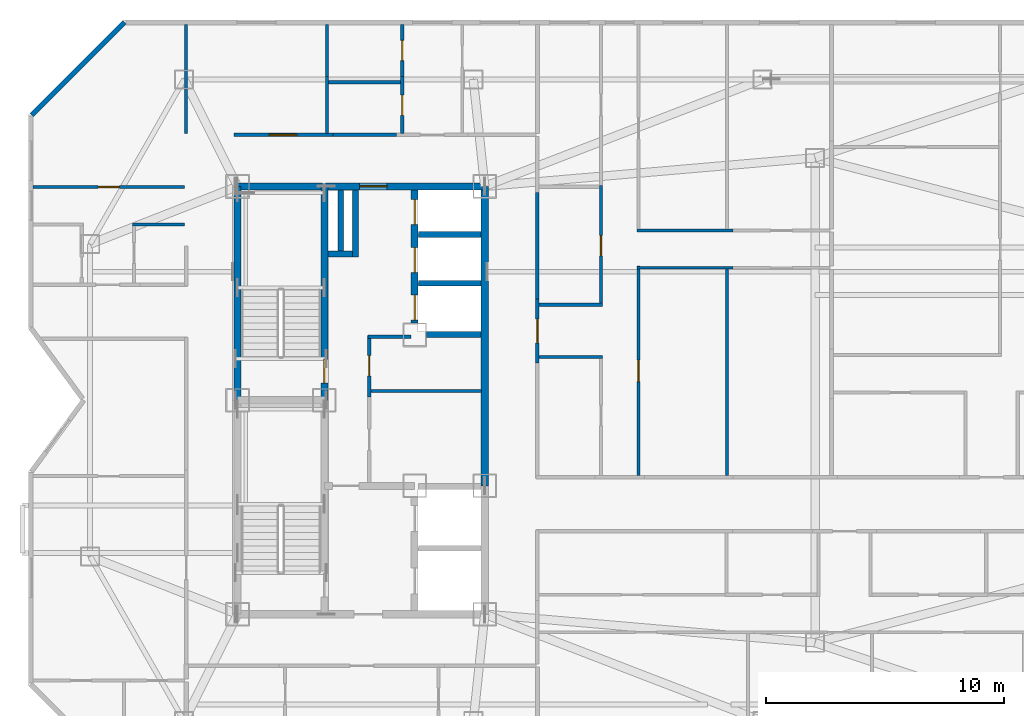
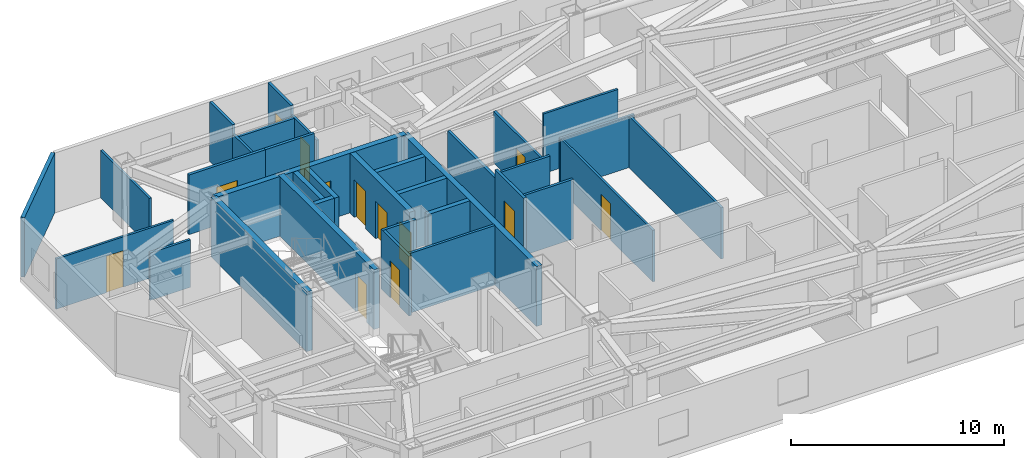
# One storey, part 6 of 10: 34 walls, 13 doors, 13 openings.
"""IFC4 building model written with IfcOpenShell, lengths in metres."""

from ifc_helpers import new_model, si_unit, direction, frame, frame_2d, origin, place, context, subcontext, project, spatial, rectangle, extrude, material, layer, layer_set, type_object, element, fill, save


model = new_model("IFC4")

# Units and contexts
model_context = context("Model", 3, precision=1e-05, world=origin(), true_north=direction((0.0, 1.0)))
body_context = subcontext(model_context, "Body", "Model", "MODEL_VIEW")
ifc_project = project(units=[si_unit("LENGTHUNIT", "METRE"), si_unit("AREAUNIT", "SQUARE_METRE"), si_unit("VOLUMEUNIT", "CUBIC_METRE"), si_unit("PLANEANGLEUNIT", "RADIAN"), si_unit("MASSUNIT", "GRAM", prefix="KILO")], contexts=[model_context])

# Site, building, storey
site_placement = place(None, origin())
site = spatial("IfcSite", under=ifc_project, at=site_placement, CompositionType="ELEMENT")
building_placement = place(site_placement, origin())
building = spatial("IfcBuilding", under=site, at=building_placement, Name="Khamvora Tower", CompositionType="ELEMENT")
storey_placement = place(building_placement, frame((0.0, 0.0, 246.39990234375)))
storey = spatial("IfcBuildingStorey", under=building, at=storey_placement, Name="L63", CompositionType="ELEMENT", Elevation=246.39990234375)

# Wall
ifc_material_1 = material(Name="Concrete C50/60", Category="concrete")
ifc_layer_1 = layer(ifc_material_1, 0.300048828125)
ifc_layer_set_1 = layer_set([ifc_layer_1], Name="Concrete C50/60")
wall_type_1 = type_object("IfcWallType", Name="WAL-CORE-300", PredefinedType="SHEAR", material=ifc_layer_set_1)
wall_1_placement = place(storey_placement, frame((29.0, 28.0, 0.0), z_axis=(0.0, 0.0, 1.0), x_axis=(0.0, 1.0, 0.0)))
element("IfcWall", 1, at=wall_1_placement, inside=storey, type_object=wall_type_1, Name="L63 central core west north wall", PredefinedType="SHEAR", context=body_context, shape_type="SweptSolid", body=[
    extrude(rectangle(XDim=9.0, YDim=0.300048828125, at=frame_2d((4.5, 0.0))), origin(), (0.0, 0.0, 1.0), 3.43017578125),
])

# Wall, opening, door
wall_2_placement = place(storey_placement, frame((29.0, 37.0, 0.0), z_axis=(0.0, 0.0, 1.0), x_axis=(1.0, 0.0, 0.0)))
wall_2 = element("IfcWall", 2, at=wall_2_placement, inside=storey, type_object=wall_type_1, Name="L63 central core north wall", PredefinedType="SHEAR", context=body_context, shape_type="SweptSolid", body=[
    extrude(rectangle(XDim=10.39990234375, YDim=0.300048828125, at=frame_2d((5.199951171875, 0.0))), origin(), (0.0, 0.0, 1.0), 3.43017578125),
])
opening_1_placement = place(wall_2_placement, frame((5.139892578125, 0.0, 0.0)))
opening_1 = element("IfcOpeningElement", 3, at=opening_1_placement, cuts=wall_2, Name="Opening D-SC1", PredefinedType="OPENING", context=body_context, shape_type="SweptSolid", body=[
    extrude(rectangle(XDim=1.14990234375, YDim=2.199951171875, at=frame_2d((0.574951171875, 1.10009765625))), frame((0.0, 0.159912109375, 0.0), z_axis=(0.0, -1.0, 0.0), x_axis=(1.0, 0.0, 0.0)), (0.0, 0.0, 1.0), 0.320068359375),
])
ifc_material_2 = material(Name="Powder-Coated Steel and Hardwood Leaf", Category="steel")
door_type_1 = type_object("IfcDoorType", Name="DOR-SCHL-1150", OperationType="NOTDEFINED", PredefinedType="DOOR", material=ifc_material_2)
door_1_placement = place(opening_1_placement, origin())
door_1 = element("IfcDoor", 4, at=door_1_placement, inside=storey, type_object=door_type_1, Name="L63 north core lobby to corridor fire door", OperationType="SINGLE_SWING_LEFT", OverallHeight=2.199951171875, OverallWidth=1.14990234375, PredefinedType="DOOR", context=body_context, shape_type="SweptSolid", body=[
    extrude(rectangle(XDim=1.14990234375, YDim=2.199951171875, at=frame_2d((0.574951171875, 1.10009765625))), frame((0.0, 0.02490234375, 0.0), z_axis=(0.0, -1.0, 0.0), x_axis=(1.0, 0.0, 0.0)), (0.0, 0.0, 1.0), 0.050048828125),
])
fill(opening_1, door_1)

# Wall
wall_3_placement = place(storey_placement, frame((39.39990234375, 24.39990234375, 0.0), z_axis=(0.0, 0.0, 1.0), x_axis=(0.0, 1.0, 0.0)))
element("IfcWall", 5, at=wall_3_placement, inside=storey, type_object=wall_type_1, Name="L63 central core east north wall", PredefinedType="SHEAR", context=body_context, shape_type="SweptSolid", body=[
    extrude(rectangle(XDim=12.60009765625, YDim=0.300048828125, at=frame_2d((6.300048828125, 0.0))), origin(), (0.0, 0.0, 1.0), 3.43017578125),
])

# Wall, opening, door
wall_4_placement = place(storey_placement, frame((32.64990234375, 28.0, 0.0), z_axis=(0.0, 0.0, 1.0), x_axis=(0.0, 1.0, 0.0)))
wall_4 = element("IfcWall", 6, at=wall_4_placement, inside=storey, type_object=wall_type_1, Name="L63 central core stair north spine wall", PredefinedType="SHEAR", context=body_context, shape_type="SweptSolid", body=[
    extrude(rectangle(XDim=9.0, YDim=0.300048828125, at=frame_2d((4.5, 0.0))), origin(), (0.0, 0.0, 1.0), 3.43017578125),
])
opening_2_placement = place(wall_4_placement, frame((0.719970703125, 0.0, 0.0)))
opening_2 = element("IfcOpeningElement", 7, at=opening_2_placement, cuts=wall_4, Name="Opening D-ST1", PredefinedType="OPENING", context=body_context, shape_type="SweptSolid", body=[
    extrude(rectangle(XDim=1.0, YDim=2.14990234375, at=frame_2d((0.5, 1.074951171875))), frame((0.0, 0.159912109375, 0.0), z_axis=(0.0, -1.0, 0.0), x_axis=(1.0, 0.0, 0.0)), (0.0, 0.0, 1.0), 0.320068359375),
])
door_type_2 = type_object("IfcDoorType", Name="DOR-STAIR-1000", OperationType="NOTDEFINED", PredefinedType="DOOR", material=ifc_material_2)
door_2_placement = place(opening_2_placement, origin())
door_2 = element("IfcDoor", 8, at=door_2_placement, inside=storey, type_object=door_type_2, Name="L63 exit stair ST-02 fire door", OperationType="SINGLE_SWING_RIGHT", OverallHeight=2.14990234375, OverallWidth=1.0, PredefinedType="DOOR", context=body_context, shape_type="SweptSolid", body=[
    extrude(rectangle(XDim=1.0, YDim=2.14990234375, at=frame_2d((0.5, 1.074951171875))), frame((0.0, 0.02490234375, 0.0), z_axis=(0.0, -1.0, 0.0), x_axis=(1.0, 0.0, 0.0)), (0.0, 0.0, 1.0), 0.050048828125),
])
fill(opening_2, door_2)

# Wall, openings, doors
wall_5_placement = place(storey_placement, frame((36.449951171875, 31.25, 0.0), z_axis=(0.0, 0.0, 1.0), x_axis=(0.0, 1.0, 0.0)))
wall_5 = element("IfcWall", 9, at=wall_5_placement, inside=storey, type_object=wall_type_1, Name="L63 central core lift bank central wall", PredefinedType="SHEAR", context=body_context, shape_type="SweptSolid", body=[
    extrude(rectangle(XDim=5.595947265625, YDim=0.300048828125, at=frame_2d((2.7978515625, 0.0))), origin(), (0.0, 0.0, 1.0), 3.43017578125),
])
opening_3_placement = place(wall_5_placement, frame((0.1201171875, 0.0, 0.0)))
opening_3 = element("IfcOpeningElement", 10, at=opening_3_placement, cuts=wall_5, Name="Opening LD-PL", PredefinedType="OPENING", context=body_context, shape_type="SweptSolid", body=[
    extrude(rectangle(XDim=1.050048828125, YDim=2.14990234375, at=frame_2d((0.52490234375, 1.074951171875))), frame((0.0, 0.159912109375, 0.0), z_axis=(0.0, -1.0, 0.0), x_axis=(1.0, 0.0, 0.0)), (0.0, 0.0, 1.0), 0.320068359375),
])
opening_4_placement = place(wall_5_placement, frame((2.125, 0.0, 0.0)))
opening_4 = element("IfcOpeningElement", 11, at=opening_4_placement, cuts=wall_5, Name="Opening LD-PL", PredefinedType="OPENING", context=body_context, shape_type="SweptSolid", body=[
    extrude(rectangle(XDim=1.050048828125, YDim=2.14990234375, at=frame_2d((0.52490234375, 1.074951171875))), frame((0.0, 0.159912109375, 0.0), z_axis=(0.0, -1.0, 0.0), x_axis=(1.0, 0.0, 0.0)), (0.0, 0.0, 1.0), 0.320068359375),
])
opening_5_placement = place(wall_5_placement, frame((4.14501953125, 0.0, 0.0)))
opening_5 = element("IfcOpeningElement", 12, at=opening_5_placement, cuts=wall_5, Name="Opening LD-PL", PredefinedType="OPENING", context=body_context, shape_type="SweptSolid", body=[
    extrude(rectangle(XDim=1.050048828125, YDim=2.14990234375, at=frame_2d((0.52490234375, 1.074951171875))), frame((0.0, 0.159912109375, 0.0), z_axis=(0.0, -1.0, 0.0), x_axis=(1.0, 0.0, 0.0)), (0.0, 0.0, 1.0), 0.320068359375),
])
door_type_3 = type_object("IfcDoorType", Name="DOR-LIFT-1050", OperationType="SLIDING_TO_LEFT", PredefinedType="DOOR", material=ifc_material_2)
door_3_placement = place(opening_3_placement, origin())
door_3 = element("IfcDoor", 13, at=door_3_placement, inside=storey, type_object=door_type_3, Name="L63 lift landing sliding door PH-01", OperationType="SLIDING_TO_LEFT", OverallHeight=2.14990234375, OverallWidth=1.050048828125, PredefinedType="DOOR", context=body_context, shape_type="SweptSolid", body=[
    extrude(rectangle(XDim=1.050048828125, YDim=2.14990234375, at=frame_2d((0.52490234375, 1.074951171875))), frame((0.0, 0.02490234375, 0.0), z_axis=(0.0, -1.0, 0.0), x_axis=(1.0, 0.0, 0.0)), (0.0, 0.0, 1.0), 0.050048828125),
])
fill(opening_3, door_3)
door_4_placement = place(opening_4_placement, origin())
door_4 = element("IfcDoor", 14, at=door_4_placement, inside=storey, type_object=door_type_3, Name="L63 lift landing sliding door PH-02", OperationType="SLIDING_TO_LEFT", OverallHeight=2.14990234375, OverallWidth=1.050048828125, PredefinedType="DOOR", context=body_context, shape_type="SweptSolid", body=[
    extrude(rectangle(XDim=1.050048828125, YDim=2.14990234375, at=frame_2d((0.52490234375, 1.074951171875))), frame((0.0, 0.02490234375, 0.0), z_axis=(0.0, -1.0, 0.0), x_axis=(1.0, 0.0, 0.0)), (0.0, 0.0, 1.0), 0.050048828125),
])
fill(opening_4, door_4)
door_5_placement = place(opening_5_placement, origin())
door_5 = element("IfcDoor", 15, at=door_5_placement, inside=storey, type_object=door_type_3, Name="L63 lift landing sliding door PH-03", OperationType="SLIDING_TO_LEFT", OverallHeight=2.14990234375, OverallWidth=1.050048828125, PredefinedType="DOOR", context=body_context, shape_type="SweptSolid", body=[
    extrude(rectangle(XDim=1.050048828125, YDim=2.14990234375, at=frame_2d((0.52490234375, 1.074951171875))), frame((0.0, 0.02490234375, 0.0), z_axis=(0.0, -1.0, 0.0), x_axis=(1.0, 0.0, 0.0)), (0.0, 0.0, 1.0), 0.050048828125),
])
fill(opening_5, door_5)

# Wall
ifc_material_3 = material(Name="Fire-Rated Drywall and Steel Stud", Category="steel")
ifc_layer_2 = layer(ifc_material_3, 0.14990234375)
ifc_layer_set_2 = layer_set([ifc_layer_2], Name="Fire-Rated Drywall and Steel Stud")
wall_type_2 = type_object("IfcWallType", Name="WAL-CORR-150", PredefinedType="STANDARD", material=ifc_layer_set_2)
wall_6_placement = place(storey_placement, frame((36.300048828125, 30.6650390625, 0.0), z_axis=(0.0, 0.0, 1.0), x_axis=(-1.0, 0.0, 0.0)))
element("IfcWall", 16, at=wall_6_placement, inside=storey, type_object=wall_type_2, Name="L63 interior partition wall 001", PredefinedType="STANDARD", context=body_context, shape_type="SweptSolid", body=[
    extrude(rectangle(XDim=1.820068359375, YDim=0.14990234375, at=frame_2d((0.91015625, 0.0))), origin(), (0.0, 0.0, 1.0), 3.43017578125),
])

# Wall, opening, door
wall_7_placement = place(storey_placement, frame((34.544921875, 30.72998046875, 0.0), z_axis=(0.0, 0.0, 1.0), x_axis=(0.0, -1.0, 0.0)))
wall_7 = element("IfcWall", 17, at=wall_7_placement, inside=storey, type_object=wall_type_2, Name="L63 interior partition wall 002", PredefinedType="STANDARD", context=body_context, shape_type="SweptSolid", body=[
    extrude(rectangle(XDim=2.593994140625, YDim=0.14990234375, at=frame_2d((1.296875, 0.0))), origin(), (0.0, 0.0, 1.0), 3.43017578125),
])
opening_6_placement = place(wall_7_placement, frame((0.85107421875, 0.0, 0.0)))
opening_6 = element("IfcOpeningElement", 18, at=opening_6_placement, cuts=wall_7, Name="Opening D-WC1", PredefinedType="OPENING", context=body_context, shape_type="SweptSolid", body=[
    extrude(rectangle(XDim=0.85009765625, YDim=2.10009765625, at=frame_2d((0.425048828125, 1.050048828125))), frame((0.0, 0.0849609375, 0.0), z_axis=(0.0, -1.0, 0.0), x_axis=(1.0, 0.0, 0.0)), (0.0, 0.0, 1.0), 0.169921875),
])
door_type_4 = type_object("IfcDoorType", Name="DOR-WET-850", OperationType="NOTDEFINED", PredefinedType="DOOR", material=ifc_material_2)
door_6_placement = place(opening_6_placement, origin())
door_6 = element("IfcDoor", 19, at=door_6_placement, inside=storey, type_object=door_type_4, Name="L63 interior door PHL-CS1", OperationType="SINGLE_SWING_RIGHT", OverallHeight=2.10009765625, OverallWidth=0.85009765625, PredefinedType="DOOR", context=body_context, shape_type="SweptSolid", body=[
    extrude(rectangle(XDim=0.85009765625, YDim=2.10009765625, at=frame_2d((0.425048828125, 1.050048828125))), frame((0.0, 0.02490234375, 0.0), z_axis=(0.0, -1.0, 0.0), x_axis=(1.0, 0.0, 0.0)), (0.0, 0.0, 1.0), 0.050048828125),
])
fill(opening_6, door_6)

wall_8_placement = place(storey_placement, frame((28.85009765625, 39.1650390625, 0.0), z_axis=(0.0, 0.0, 1.0), x_axis=(1.0, 0.0, 0.0)))
wall_8 = element("IfcWall", 20, at=wall_8_placement, inside=storey, type_object=wall_type_2, Name="L63 interior partition wall 005", PredefinedType="STANDARD", context=body_context, shape_type="SweptSolid", body=[
    extrude(rectangle(XDim=4.163818359375, YDim=0.14990234375, at=frame_2d((2.08203125, 0.0))), origin(), (0.0, 0.0, 1.0), 3.43017578125),
])
opening_7_placement = place(wall_8_placement, frame((1.486083984375, 0.0, 0.0)))
opening_7 = element("IfcOpeningElement", 21, at=opening_7_placement, cuts=wall_8, Name="Opening D-SC1", PredefinedType="OPENING", context=body_context, shape_type="SweptSolid", body=[
    extrude(rectangle(XDim=1.14990234375, YDim=2.199951171875, at=frame_2d((0.574951171875, 1.10009765625))), frame((0.0, 0.0849609375, 0.0), z_axis=(0.0, -1.0, 0.0), x_axis=(1.0, 0.0, 0.0)), (0.0, 0.0, 1.0), 0.169921875),
])
door_7_placement = place(opening_7_placement, origin())
door_7 = element("IfcDoor", 22, at=door_7_placement, inside=storey, type_object=door_type_1, Name="L63 interior door COR-FSTD", OperationType="SINGLE_SWING_RIGHT", OverallHeight=2.199951171875, OverallWidth=1.14990234375, PredefinedType="DOOR", context=body_context, shape_type="SweptSolid", body=[
    extrude(rectangle(XDim=1.14990234375, YDim=2.199951171875, at=frame_2d((0.574951171875, 1.10009765625))), frame((0.0, 0.02490234375, 0.0), z_axis=(0.0, -1.0, 0.0), x_axis=(1.0, 0.0, 0.0)), (0.0, 0.0, 1.0), 0.050048828125),
])
fill(opening_7, door_7)

# Wall
wall_9_placement = place(storey_placement, frame((33.013916015625, 39.1650390625, 0.0), z_axis=(0.0, 0.0, 1.0), x_axis=(1.0, 0.0, 0.0)))
element("IfcWall", 23, at=wall_9_placement, inside=storey, type_object=wall_type_2, Name="L63 interior partition wall 016", PredefinedType="STANDARD", context=body_context, shape_type="SweptSolid", body=[
    extrude(rectangle(XDim=2.6669921875, YDim=0.14990234375, at=frame_2d((1.33349609375, 0.0))), origin(), (0.0, 0.0, 1.0), 3.43017578125),
])

# Wall, opening, door
wall_10_placement = place(storey_placement, frame((41.614990234375, 32.264892578125, 0.0), z_axis=(0.0, 0.0, 1.0), x_axis=(0.0, -1.0, 0.0)))
wall_10 = element("IfcWall", 24, at=wall_10_placement, inside=storey, type_object=wall_type_2, Name="L63 interior partition wall 027", PredefinedType="STANDARD", context=body_context, shape_type="SweptSolid", body=[
    extrude(rectangle(XDim=2.697998046875, YDim=0.14990234375, at=frame_2d((1.34912109375, 0.0))), origin(), (0.0, 0.0, 1.0), 3.43017578125),
])
opening_8_placement = place(wall_10_placement, frame((0.84912109375, 0.0, 0.0)))
opening_8 = element("IfcOpeningElement", 25, at=opening_8_placement, cuts=wall_10, Name="Opening D-U1", PredefinedType="OPENING", context=body_context, shape_type="SweptSolid", body=[
    extrude(rectangle(XDim=1.0, YDim=2.14990234375, at=frame_2d((0.5, 1.074951171875))), frame((0.0, 0.0849609375, 0.0), z_axis=(0.0, -1.0, 0.0), x_axis=(1.0, 0.0, 0.0)), (0.0, 0.0, 1.0), 0.169921875),
])
door_type_5 = type_object("IfcDoorType", Name="DOR-UNIT-1000", OperationType="NOTDEFINED", PredefinedType="DOOR", material=ifc_material_2)
door_8_placement = place(opening_8_placement, origin())
door_8 = element("IfcDoor", 26, at=door_8_placement, inside=storey, type_object=door_type_5, Name="L63 interior door COR-63EBH", OperationType="SINGLE_SWING_RIGHT", OverallHeight=2.14990234375, OverallWidth=1.0, PredefinedType="DOOR", context=body_context, shape_type="SweptSolid", body=[
    extrude(rectangle(XDim=1.0, YDim=2.14990234375, at=frame_2d((0.5, 1.074951171875))), frame((0.0, 0.02490234375, 0.0), z_axis=(0.0, -1.0, 0.0), x_axis=(1.0, 0.0, 0.0)), (0.0, 0.0, 1.0), 0.050048828125),
])
fill(opening_8, door_8)

# Walls
wall_11_placement = place(storey_placement, frame((41.614990234375, 36.73193359375, 0.0), z_axis=(0.0, 0.0, 1.0), x_axis=(0.0, -1.0, 0.0)))
element("IfcWall", 27, at=wall_11_placement, inside=storey, type_object=wall_type_2, Name="L63 interior partition wall 029", PredefinedType="STANDARD", context=body_context, shape_type="SweptSolid", body=[
    extrude(rectangle(XDim=4.467041015625, YDim=0.14990234375, at=frame_2d((2.2333984375, 0.0))), origin(), (0.0, 0.0, 1.0), 2.95703125),
])
ifc_material_4 = material(Name="Precast concrete C40/50", Category="concrete")
ifc_layer_3 = layer(ifc_material_4, 0.199951171875)
ifc_layer_set_3 = layer_set([ifc_layer_3], Name="Precast concrete C40/50")
wall_type_3 = type_object("IfcWallType", Name="WAL-EXT-200", PredefinedType="STANDARD", material=ifc_layer_set_3)
wall_12_placement = place(storey_placement, frame((20.343994140625, 40.0029296875, 0.0), z_axis=(0.0, 0.0, 1.0), x_axis=(0.707106781187, 0.707106781187, 0.0)))
element("IfcWall", 28, at=wall_12_placement, inside=storey, type_object=wall_type_3, Name="L63 exterior facade wall 06.1", PredefinedType="STANDARD", context=body_context, shape_type="SweptSolid", body=[
    extrude(rectangle(XDim=5.51123046875, YDim=0.199951171875, at=frame_2d((2.755615234375, 0.0))), origin(), (0.0, 0.0, 1.0), 3.43017578125),
])
ifc_material_5 = material(Name="Gypsum Plasterboard Partition", Category="gypsum")
ifc_layer_4 = layer(ifc_material_5, 0.1201171875)
ifc_layer_set_4 = layer_set([ifc_layer_4], Name="Gypsum Plasterboard Partition")
wall_type_4 = type_object("IfcWallType", Name="WAL-PART-120", PredefinedType="PARTITIONING", material=ifc_layer_set_4)
wall_13_placement = place(storey_placement, frame((26.8349609375, 39.22998046875, 0.0), z_axis=(0.0, 0.0, 1.0), x_axis=(0.0, 1.0, 0.0)))
element("IfcWall", 29, at=wall_13_placement, inside=storey, type_object=wall_type_4, Name="L63 interior partition wall 037", PredefinedType="PARTITIONING", context=body_context, shape_type="SweptSolid", body=[
    extrude(rectangle(XDim=4.578125, YDim=0.1201171875, at=frame_2d((2.2890625, 0.0))), origin(), (0.0, 0.0, 1.0), 2.72509765625),
])

# Wall, opening, door
wall_14_placement = place(storey_placement, frame((20.39208984375, 36.97509765625, 0.0), z_axis=(0.0, 0.0, 1.0), x_axis=(1.0, 0.0, 0.0)))
wall_14 = element("IfcWall", 30, at=wall_14_placement, inside=storey, type_object=wall_type_4, Name="L63 interior partition wall 051", PredefinedType="PARTITIONING", context=body_context, shape_type="SweptSolid", body=[
    extrude(rectangle(XDim=6.3779296875, YDim=0.1201171875, at=frame_2d((3.18896484375, 0.0))), origin(), (0.0, 0.0, 1.0), 2.88720703125),
])
opening_9_placement = place(wall_14_placement, frame((2.739013671875, 0.0, 0.0)))
opening_9 = element("IfcOpeningElement", 31, at=opening_9_placement, cuts=wall_14, Name="Opening D-RM1", PredefinedType="OPENING", context=body_context, shape_type="SweptSolid", body=[
    extrude(rectangle(XDim=0.89990234375, YDim=2.10009765625, at=frame_2d((0.449951171875, 1.050048828125))), frame((0.0, 0.070068359375, 0.0), z_axis=(0.0, -1.0, 0.0), x_axis=(1.0, 0.0, 0.0)), (0.0, 0.0, 1.0), 0.14013671875),
])
door_type_6 = type_object("IfcDoorType", Name="DOR-ROOM-900", OperationType="NOTDEFINED", PredefinedType="DOOR", material=ifc_material_2)
door_9_placement = place(opening_9_placement, origin())
door_9 = element("IfcDoor", 32, at=door_9_placement, inside=storey, type_object=door_type_6, Name="L63 interior door 63WBH-63WBR1", OperationType="SINGLE_SWING_RIGHT", OverallHeight=2.10009765625, OverallWidth=0.89990234375, PredefinedType="DOOR", context=body_context, shape_type="SweptSolid", body=[
    extrude(rectangle(XDim=0.89990234375, YDim=2.10009765625, at=frame_2d((0.449951171875, 1.050048828125))), frame((0.0, 0.02490234375, 0.0), z_axis=(0.0, -1.0, 0.0), x_axis=(1.0, 0.0, 0.0)), (0.0, 0.0, 1.0), 0.050048828125),
])
fill(opening_9, door_9)

wall_15_placement = place(storey_placement, frame((45.867919921875, 33.639892578125, 0.0), z_axis=(0.0, 0.0, 1.0), x_axis=(0.0, -1.0, 0.0)))
wall_15 = element("IfcWall", 33, at=wall_15_placement, inside=storey, type_object=wall_type_4, Name="L63 interior partition wall 083", PredefinedType="PARTITIONING", context=body_context, shape_type="SweptSolid", body=[
    extrude(rectangle(XDim=8.807861328125, YDim=0.1201171875, at=frame_2d((4.40380859375, 0.0))), origin(), (0.0, 0.0, 1.0), 2.95703125),
])
opening_10_placement = place(wall_15_placement, frame((3.9541015625, 0.0, 0.0)))
opening_10 = element("IfcOpeningElement", 34, at=opening_10_placement, cuts=wall_15, Name="Opening D-RM1", PredefinedType="OPENING", context=body_context, shape_type="SweptSolid", body=[
    extrude(rectangle(XDim=0.89990234375, YDim=2.10009765625, at=frame_2d((0.449951171875, 1.050048828125))), frame((0.0, 0.070068359375, 0.0), z_axis=(0.0, -1.0, 0.0), x_axis=(1.0, 0.0, 0.0)), (0.0, 0.0, 1.0), 0.14013671875),
])
door_10_placement = place(opening_10_placement, origin())
door_10 = element("IfcDoor", 35, at=door_10_placement, inside=storey, type_object=door_type_6, Name="L63 interior door 63EBH-63EBL", OperationType="SINGLE_SWING_LEFT", OverallHeight=2.10009765625, OverallWidth=0.89990234375, PredefinedType="DOOR", context=body_context, shape_type="SweptSolid", body=[
    extrude(rectangle(XDim=0.89990234375, YDim=2.10009765625, at=frame_2d((0.449951171875, 1.050048828125))), frame((0.0, 0.02490234375, 0.0), z_axis=(0.0, -1.0, 0.0), x_axis=(1.0, 0.0, 0.0)), (0.0, 0.0, 1.0), 0.050048828125),
])
fill(opening_10, door_10)

# Walls
wall_16_placement = place(storey_placement, frame((49.844970703125, 33.574951171875, 0.0), z_axis=(0.0, 0.0, 1.0), x_axis=(-1.0, 0.0, 0.0)))
element("IfcWall", 36, at=wall_16_placement, inside=storey, type_object=wall_type_4, Name="L63 interior partition wall 084", PredefinedType="PARTITIONING", context=body_context, shape_type="SweptSolid", body=[
    extrude(rectangle(XDim=4.0419921875, YDim=0.1201171875, at=frame_2d((2.02099609375, 0.0))), origin(), (0.0, 0.0, 1.0), 2.95703125),
])
wall_17_placement = place(storey_placement, frame((45.802978515625, 35.14501953125, 0.0), z_axis=(0.0, 0.0, 1.0), x_axis=(1.0, 0.0, 0.0)))
element("IfcWall", 37, at=wall_17_placement, inside=storey, type_object=wall_type_4, Name="L63 interior partition wall 087", PredefinedType="PARTITIONING", context=body_context, shape_type="SweptSolid", body=[
    extrude(rectangle(XDim=4.0419921875, YDim=0.1201171875, at=frame_2d((2.02099609375, 0.0))), origin(), (0.0, 0.0, 1.0), 3.43017578125),
])
wall_18_placement = place(storey_placement, frame((49.595947265625, 33.52099609375, 0.0), z_axis=(0.0, 0.0, 1.0), x_axis=(0.0, -1.0, 0.0)))
element("IfcWall", 38, at=wall_18_placement, inside=storey, type_object=wall_type_4, Name="L63 interior partition wall 090", PredefinedType="PARTITIONING", context=body_context, shape_type="SweptSolid", body=[
    extrude(rectangle(XDim=8.68896484375, YDim=0.1201171875, at=frame_2d((4.344482421875, 0.0))), origin(), (0.0, 0.0, 1.0), 2.95703125),
])
ifc_material_6 = material(Name="Concrete C40/50", Category="concrete")
ifc_layer_5 = layer(ifc_material_6, 0.25)
ifc_layer_set_5 = layer_set([ifc_layer_5], Name="Concrete C40/50")
wall_type_5 = type_object("IfcWallType", Name="WAL-PODS-250", PredefinedType="SHEAR", material=ifc_layer_set_5)
wall_19_placement = place(storey_placement, frame((36.9541015625, 30.77490234375, 0.0), z_axis=(0.0, 0.0, 1.0), x_axis=(1.0, 0.0, 0.0)))
element("IfcWall", 39, at=wall_19_placement, inside=storey, type_object=wall_type_5, Name="L63 high-rise lift shaft south enclosure wall PH-01", PredefinedType="SHEAR", context=body_context, shape_type="SweptSolid", body=[
    extrude(rectangle(XDim=2.2919921875, YDim=0.25, at=frame_2d((1.14599609375, 0.0))), origin(), (0.0, 0.0, 1.0), 3.43017578125),
])
for number, where, z_axis, x_axis, name in (
    (40, (36.60400390625, 32.925048828125, 0.0), (0.0, 0.0, 1.0), (1.0, 0.0, 0.0), "L63 lift shaft divider wall PH-01"),
    (41, (36.60400390625, 34.97509765625, 0.0), (0.0, 0.0, 1.0), (1.0, 0.0, 0.0), "L63 lift shaft divider wall PH-02"),
):
    element("IfcWall", number, at=place(storey_placement, frame(where, z_axis=z_axis, x_axis=x_axis)), inside=storey, type_object=wall_type_5, Name=name, PredefinedType="SHEAR", context=body_context, shape_type="SweptSolid", body=[
        extrude(rectangle(XDim=2.64208984375, YDim=0.25, at=frame_2d((1.321044921875, 0.0))), origin(), (0.0, 0.0, 1.0), 3.43017578125),
    ])
wall_20_placement = place(storey_placement, frame((33.955078125, 34.02490234375, 0.0), z_axis=(0.0, 0.0, 1.0), x_axis=(0.0, 1.0, 0.0)))
element("IfcWall", 42, at=wall_20_placement, inside=storey, type_object=wall_type_5, Name="L63 vertical MEP riser shaft east enclosure wall", PredefinedType="SHEAR", context=body_context, shape_type="SweptSolid", body=[
    extrude(rectangle(XDim=2.821044921875, YDim=0.25, at=frame_2d((1.41064453125, 0.0))), origin(), (0.0, 0.0, 1.0), 3.43017578125),
])
wall_21_placement = place(storey_placement, frame((32.803955078125, 34.14990234375, 0.0), z_axis=(0.0, 0.0, 1.0), x_axis=(1.0, 0.0, 0.0)))
element("IfcWall", 43, at=wall_21_placement, inside=storey, type_object=wall_type_5, Name="L63 vertical MEP riser shaft south enclosure wall", PredefinedType="SHEAR", context=body_context, shape_type="SweptSolid", body=[
    extrude(rectangle(XDim=1.02197265625, YDim=0.25, at=frame_2d((0.510986328125, 0.0))), origin(), (0.0, 0.0, 1.0), 3.43017578125),
])
wall_22_placement = place(storey_placement, frame((33.340087890625, 34.279052734375, 0.0), z_axis=(0.0, 0.0, 1.0), x_axis=(0.0, 1.0, 0.0)))
element("IfcWall", 44, at=wall_22_placement, inside=storey, type_object=wall_type_5, Name="L63 vertical MEP riser shaft divider enclosure wall", PredefinedType="SHEAR", context=body_context, shape_type="SweptSolid", body=[
    extrude(rectangle(XDim=2.56689453125, YDim=0.25, at=frame_2d((1.283447265625, 0.0))), origin(), (0.0, 0.0, 1.0), 3.43017578125),
])
ifc_material_7 = material(Name="Moisture-Resistant Plasterboard Partition", Category="gypsum")
ifc_layer_6 = layer(ifc_material_7, 0.135009765625)
ifc_layer_set_6 = layer_set([ifc_layer_6], Name="Moisture-Resistant Plasterboard Partition")
wall_type_6 = type_object("IfcWallType", Name="WAL-WET-135", PredefinedType="PARTITIONING", material=ifc_layer_set_6)
wall_23_placement = place(storey_placement, frame((39.256103515625, 28.385009765625, 0.0), z_axis=(0.0, 0.0, 1.0), x_axis=(-1.0, 0.0, 0.0)))
element("IfcWall", 45, at=wall_23_placement, inside=storey, type_object=wall_type_6, Name="L63 interior partition wall 004", PredefinedType="PARTITIONING", context=body_context, shape_type="SweptSolid", body=[
    extrude(rectangle(XDim=4.64404296875, YDim=0.135009765625, at=frame_2d((2.322021484375, 0.0))), origin(), (0.0, 0.0, 1.0), 3.43017578125),
])
wall_24_placement = place(storey_placement, frame((32.764892578125, 41.62890625, 0.0), z_axis=(0.0, 0.0, 1.0), x_axis=(0.0, -1.0, 0.0)))
element("IfcWall", 46, at=wall_24_placement, inside=storey, type_object=wall_type_6, Name="L63 interior partition wall 038", PredefinedType="PARTITIONING", context=body_context, shape_type="SweptSolid", body=[
    extrude(rectangle(XDim=2.39697265625, YDim=0.135009765625, at=frame_2d((1.198486328125, 0.0))), origin(), (0.0, 0.0, 1.0), 2.88720703125),
])
wall_25_placement = place(storey_placement, frame((32.764892578125, 43.80810546875, 0.0), z_axis=(0.0, 0.0, 1.0), x_axis=(0.0, -1.0, 0.0)))
element("IfcWall", 47, at=wall_25_placement, inside=storey, type_object=wall_type_6, Name="L63 interior partition wall 039", PredefinedType="PARTITIONING", context=body_context, shape_type="SweptSolid", body=[
    extrude(rectangle(XDim=2.17919921875, YDim=0.135009765625, at=frame_2d((1.089599609375, 0.0))), origin(), (0.0, 0.0, 1.0), 3.43017578125),
])
wall_26_placement = place(storey_placement, frame((26.77001953125, 35.39501953125, 0.0), z_axis=(0.0, 0.0, 1.0), x_axis=(-1.0, 0.0, 0.0)))
element("IfcWall", 48, at=wall_26_placement, inside=storey, type_object=wall_type_6, Name="L63 interior partition wall 049", PredefinedType="PARTITIONING", context=body_context, shape_type="SweptSolid", body=[
    extrude(rectangle(XDim=2.195068359375, YDim=0.135009765625, at=frame_2d((1.09765625, 0.0))), origin(), (0.0, 0.0, 1.0), 2.72509765625),
])

# Wall, opening, door
wall_27_placement = place(storey_placement, frame((35.929931640625, 39.23193359375, 0.0), z_axis=(0.0, 0.0, 1.0), x_axis=(0.0, 1.0, 0.0)))
wall_27 = element("IfcWall", 49, at=wall_27_placement, inside=storey, type_object=wall_type_6, Name="L63 interior partition wall 057", PredefinedType="PARTITIONING", context=body_context, shape_type="SweptSolid", body=[
    extrude(rectangle(XDim=2.39697265625, YDim=0.135009765625, at=frame_2d((1.198486328125, 0.0))), origin(), (0.0, 0.0, 1.0), 2.88720703125),
])
opening_11_placement = place(wall_27_placement, frame((0.751953125, 0.0, 0.0)))
opening_11 = element("IfcOpeningElement", 50, at=opening_11_placement, cuts=wall_27, Name="Opening D-WC1", PredefinedType="OPENING", context=body_context, shape_type="SweptSolid", body=[
    extrude(rectangle(XDim=0.85009765625, YDim=2.10009765625, at=frame_2d((0.425048828125, 1.050048828125))), frame((0.0, 0.077392578125, 0.0), z_axis=(0.0, -1.0, 0.0), x_axis=(1.0, 0.0, 0.0)), (0.0, 0.0, 1.0), 0.155029296875),
])
door_11_placement = place(opening_11_placement, origin())
door_11 = element("IfcDoor", 51, at=door_11_placement, inside=storey, type_object=door_type_4, Name="L63 interior door 63NAH-63NAB", OperationType="SINGLE_SWING_LEFT", OverallHeight=2.10009765625, OverallWidth=0.85009765625, PredefinedType="DOOR", context=body_context, shape_type="SweptSolid", body=[
    extrude(rectangle(XDim=0.85009765625, YDim=2.10009765625, at=frame_2d((0.425048828125, 1.050048828125))), frame((0.0, 0.02490234375, 0.0), z_axis=(0.0, -1.0, 0.0), x_axis=(1.0, 0.0, 0.0)), (0.0, 0.0, 1.0), 0.050048828125),
])
fill(opening_11, door_11)

wall_28_placement = place(storey_placement, frame((35.929931640625, 41.62890625, 0.0), z_axis=(0.0, 0.0, 1.0), x_axis=(0.0, 1.0, 0.0)))
wall_28 = element("IfcWall", 52, at=wall_28_placement, inside=storey, type_object=wall_type_6, Name="L63 interior partition wall 058", PredefinedType="PARTITIONING", context=body_context, shape_type="SweptSolid", body=[
    extrude(rectangle(XDim=2.17919921875, YDim=0.135009765625, at=frame_2d((1.089599609375, 0.0))), origin(), (0.0, 0.0, 1.0), 3.43017578125),
])
opening_12_placement = place(wall_28_placement, frame((0.6640625, 0.0, 0.0)))
opening_12 = element("IfcOpeningElement", 53, at=opening_12_placement, cuts=wall_28, Name="Opening D-RM2", PredefinedType="OPENING", context=body_context, shape_type="SweptSolid", body=[
    extrude(rectangle(XDim=0.85009765625, YDim=2.10009765625, at=frame_2d((0.425048828125, 1.050048828125))), frame((0.0, 0.077392578125, 0.0), z_axis=(0.0, -1.0, 0.0), x_axis=(1.0, 0.0, 0.0)), (0.0, 0.0, 1.0), 0.155029296875),
])
door_type_7 = type_object("IfcDoorType", Name="DOR-ROOM-850", OperationType="NOTDEFINED", PredefinedType="DOOR", material=ifc_material_2)
door_12_placement = place(opening_12_placement, origin())
door_12 = element("IfcDoor", 54, at=door_12_placement, inside=storey, type_object=door_type_7, Name="L63 interior door 63NAH-63NAK", OperationType="SINGLE_SWING_RIGHT", OverallHeight=2.10009765625, OverallWidth=0.85009765625, PredefinedType="DOOR", context=body_context, shape_type="SweptSolid", body=[
    extrude(rectangle(XDim=0.85009765625, YDim=2.10009765625, at=frame_2d((0.425048828125, 1.050048828125))), frame((0.0, 0.02490234375, 0.0), z_axis=(0.0, -1.0, 0.0), x_axis=(1.0, 0.0, 0.0)), (0.0, 0.0, 1.0), 0.050048828125),
])
fill(opening_12, door_12)

# Walls
wall_29_placement = place(storey_placement, frame((32.826904296875, 41.3798828125, 0.0), z_axis=(0.0, 0.0, 1.0), x_axis=(1.0, 0.0, 0.0)))
element("IfcWall", 55, at=wall_29_placement, inside=storey, type_object=wall_type_6, Name="L63 interior partition wall 060", PredefinedType="PARTITIONING", context=body_context, shape_type="SweptSolid", body=[
    extrude(rectangle(XDim=3.041015625, YDim=0.135009765625, at=frame_2d((1.5205078125, 0.0))), origin(), (0.0, 0.0, 1.0), 2.88720703125),
])
wall_30_placement = place(storey_placement, frame((41.681884765625, 32.01611328125, 0.0), z_axis=(0.0, 0.0, 1.0), x_axis=(1.0, 0.0, 0.0)))
element("IfcWall", 56, at=wall_30_placement, inside=storey, type_object=wall_type_6, Name="L63 interior partition wall 079", PredefinedType="PARTITIONING", context=body_context, shape_type="SweptSolid", body=[
    extrude(rectangle(XDim=2.671142578125, YDim=0.135009765625, at=frame_2d((1.33544921875, 0.0))), origin(), (0.0, 0.0, 1.0), 3.43017578125),
])

# Wall, opening, door
wall_31_placement = place(storey_placement, frame((44.2880859375, 31.950927734375, 0.0), z_axis=(0.0, 0.0, 1.0), x_axis=(0.0, 1.0, 0.0)))
wall_31 = element("IfcWall", 57, at=wall_31_placement, inside=storey, type_object=wall_type_6, Name="L63 interior partition wall 080", PredefinedType="PARTITIONING", context=body_context, shape_type="SweptSolid", body=[
    extrude(rectangle(XDim=5.094970703125, YDim=0.135009765625, at=frame_2d((2.54736328125, 0.0))), origin(), (0.0, 0.0, 1.0), 2.95703125),
])
opening_13_placement = place(wall_31_placement, frame((2.123046875, 0.0, 0.0)))
opening_13 = element("IfcOpeningElement", 58, at=opening_13_placement, cuts=wall_31, Name="Opening D-WC1", PredefinedType="OPENING", context=body_context, shape_type="SweptSolid", body=[
    extrude(rectangle(XDim=0.85009765625, YDim=2.10009765625, at=frame_2d((0.425048828125, 1.050048828125))), frame((0.0, 0.077392578125, 0.0), z_axis=(0.0, -1.0, 0.0), x_axis=(1.0, 0.0, 0.0)), (0.0, 0.0, 1.0), 0.155029296875),
])
door_13_placement = place(opening_13_placement, origin())
door_13 = element("IfcDoor", 59, at=door_13_placement, inside=storey, type_object=door_type_4, Name="L63 interior door 63EBH-63EBB", OperationType="SINGLE_SWING_LEFT", OverallHeight=2.10009765625, OverallWidth=0.85009765625, PredefinedType="DOOR", context=body_context, shape_type="SweptSolid", body=[
    extrude(rectangle(XDim=0.85009765625, YDim=2.10009765625, at=frame_2d((0.425048828125, 1.050048828125))), frame((0.0, 0.02490234375, 0.0), z_axis=(0.0, -1.0, 0.0), x_axis=(1.0, 0.0, 0.0)), (0.0, 0.0, 1.0), 0.050048828125),
])
fill(opening_13, door_13)

# Wall
wall_32_placement = place(storey_placement, frame((44.35302734375, 29.81591796875, 0.0), z_axis=(0.0, 0.0, 1.0), x_axis=(-1.0, 0.0, 0.0)))
element("IfcWall", 60, at=wall_32_placement, inside=storey, type_object=wall_type_6, Name="L63 interior partition wall 082", PredefinedType="PARTITIONING", context=body_context, shape_type="SweptSolid", body=[
    extrude(rectangle(XDim=2.671142578125, YDim=0.135009765625, at=frame_2d((1.33544921875, 0.0))), origin(), (0.0, 0.0, 1.0), 3.43017578125),
])

save(model, "model.ifc")
